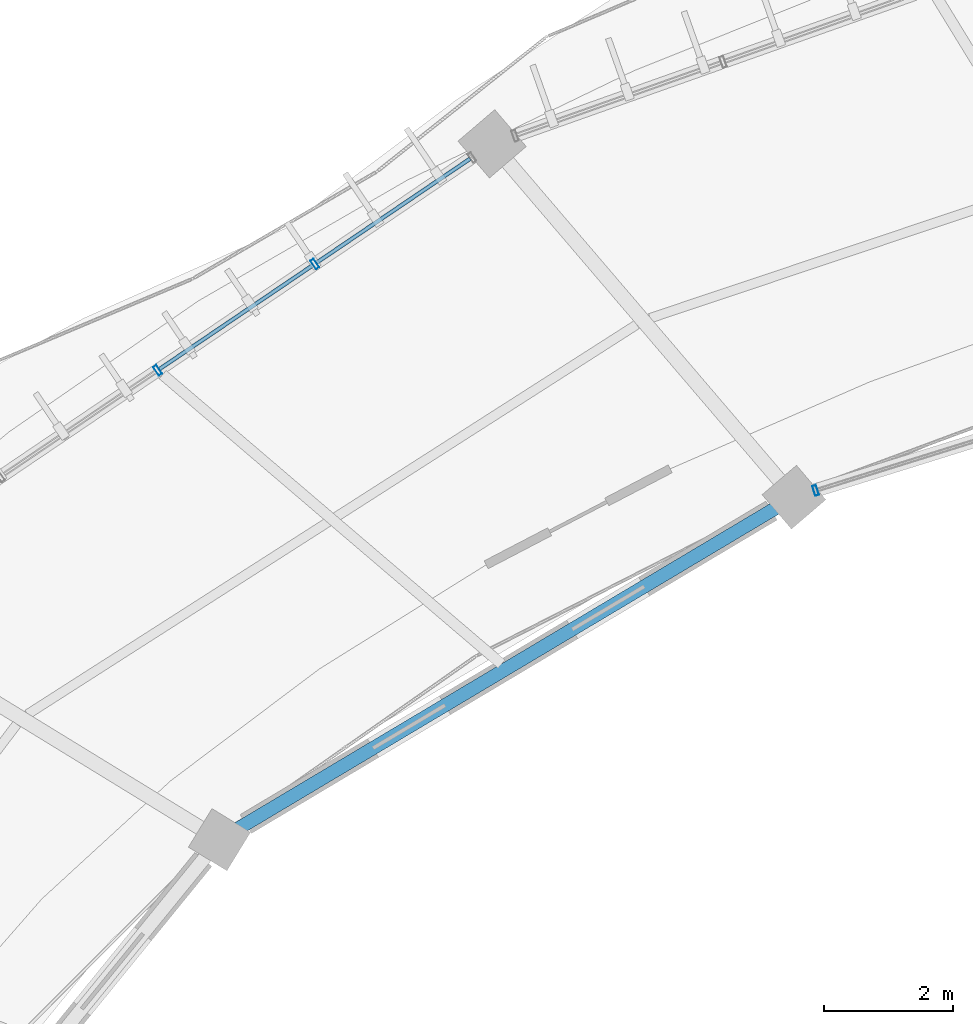
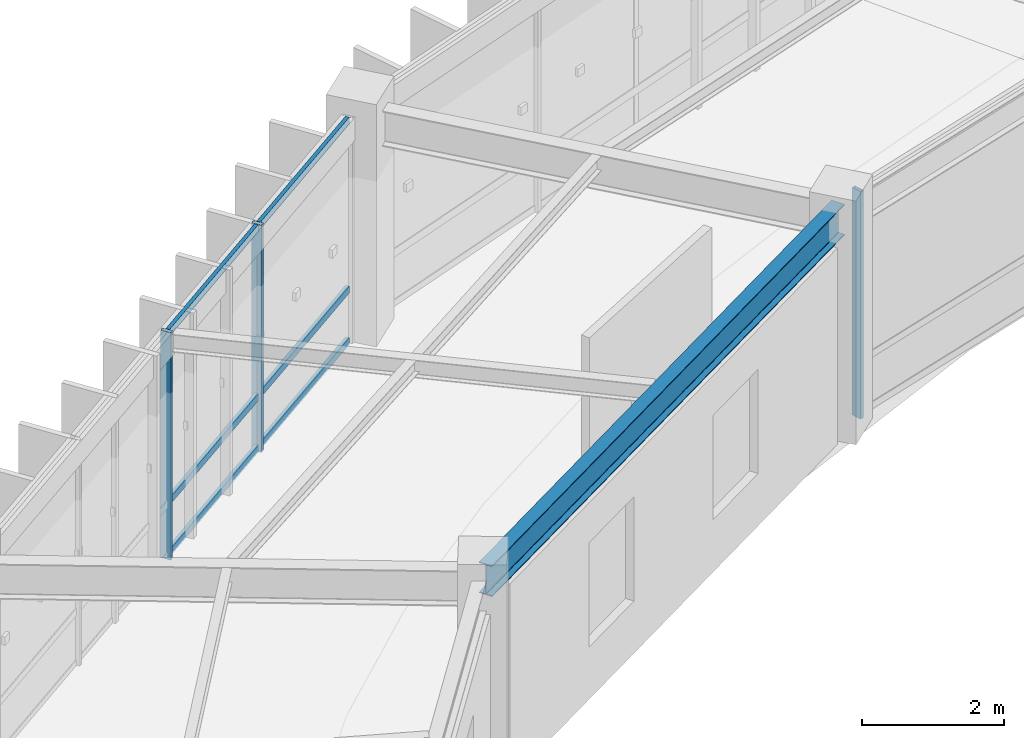
# One storey, part 58 of 152: 9 members, 1 beam, 2 elements without a shape of their own.
"""IFC4 building model written with IfcOpenShell, lengths in metres."""

import ifcopenshell
import ifcopenshell.guid

model = None  # the IFC model being written
_history = None  # IfcOwnerHistory: only IFC2X3 demands one
_inside = {}  # id of a spatial element -> (the spatial element, [elements in it])
_under = {}  # id of a project, library or spatial element -> (it, [spatial elements below it])
_declared = {}  # id of a project -> (the project, [libraries it declares])
_typed = {}  # id of a type object -> (the type object, [elements of that type])
_made_of = {}  # id of a material, layer set ... -> (it, [elements and type objects made of it])


def new_model(schema):
    """Start an empty IFC model of exactly this schema.

    Asked for "IFC4X3", IfcOpenShell would pick the latest addendum, in which some entities
    have other attributes; the version numbers below select the first issue.
    IFC2X3 requires an IfcOwnerHistory on every rooted entity: one is made here for all.
    """
    global model, _history
    if schema == "IFC4X3":
        model = ifcopenshell.file(schema_version=(4, 3, 0, 0))
    else:
        model = ifcopenshell.file(schema=schema)
    _inside.clear()
    _under.clear()
    _declared.clear()
    _typed.clear()
    _made_of.clear()
    _history = None
    if model.schema == "IFC2X3":
        org = make("IfcOrganization", Name="unknown")
        user = make(
            "IfcPersonAndOrganization",
            ThePerson=make("IfcPerson", FamilyName="unknown"),
            TheOrganization=org,
        )
        app = make(
            "IfcApplication",
            ApplicationDeveloper=org,
            Version="unknown",
            ApplicationFullName="unknown",
            ApplicationIdentifier="unknown",
        )
        _history = make(
            "IfcOwnerHistory",
            OwningUser=user,
            OwningApplication=app,
            ChangeAction="ADDED",
            CreationDate=0,
        )
    return model


def make(cls, **values):
    """One entity of the class cls with the attributes given. An attribute that is None is left unset."""
    return model.create_entity(
        cls, **{name: value for name, value in values.items() if value is not None}
    )


def rooted(cls, **values):
    """An entity with a GlobalId (a new one), such as an element, a storey or a relation."""
    return make(cls, GlobalId=ifcopenshell.guid.new(), OwnerHistory=_history, **values)


def si_unit(unit_type, name, prefix=None):
    """IfcSIUnit, for example si_unit("LENGTHUNIT", "METRE", prefix="MILLI")."""
    return make("IfcSIUnit", UnitType=unit_type, Prefix=prefix, Name=name)


def assignment(units):
    """IfcUnitAssignment: the units of a project."""
    return None if units is None else make("IfcUnitAssignment", Units=units)


def point(xyz):
    """IfcCartesianPoint."""
    return None if xyz is None else make("IfcCartesianPoint", Coordinates=xyz)


def direction(xyz):
    """IfcDirection."""
    return None if xyz is None else make("IfcDirection", DirectionRatios=xyz)


def frame(location, z_axis=None, x_axis=None):
    """IfcAxis2Placement3D, a coordinate frame: its origin and axes. An axis left out is left unset."""
    return make(
        "IfcAxis2Placement3D",
        Location=point(location),
        Axis=direction(z_axis),
        RefDirection=direction(x_axis),
    )


def frame_2d(location, x_axis=None):
    """IfcAxis2Placement2D, a coordinate frame in the plane: its origin and x axis."""
    return make(
        "IfcAxis2Placement2D", Location=point(location), RefDirection=direction(x_axis)
    )


def origin():
    """The frame at (0, 0, 0) with its axes left unset."""
    return frame((0.0, 0.0, 0.0))


def origin_2d():
    """The frame at (0, 0) in the plane with its x axis left unset."""
    return frame_2d((0.0, 0.0))


def place(relative_to, where):
    """IfcLocalPlacement: puts the frame where relative to a parent placement (None: the world)."""
    return make(
        "IfcLocalPlacement", PlacementRelTo=relative_to, RelativePlacement=where
    )


def context(
    kind, dimensions, precision=None, world=None, true_north=None, identifier=None
):
    """IfcGeometricRepresentationContext, for example the 3D "Model" context."""
    return make(
        "IfcGeometricRepresentationContext",
        ContextIdentifier=identifier,
        ContextType=kind,
        CoordinateSpaceDimension=dimensions,
        Precision=precision,
        WorldCoordinateSystem=world,
        TrueNorth=true_north,
    )


def subcontext(parent, identifier, kind, view, scale=None):
    """IfcGeometricRepresentationSubContext, for example "Body" below "Model"."""
    return make(
        "IfcGeometricRepresentationSubContext",
        ContextIdentifier=identifier,
        ContextType=kind,
        ParentContext=parent,
        TargetScale=scale,
        TargetView=view,
    )


def project(units=None, contexts=None):
    """IfcProject with its units and contexts."""
    return rooted(
        "IfcProject",
        Name="project",
        RepresentationContexts=contexts,
        UnitsInContext=assignment(units),
    )


def spatial(cls, under=None, at=None, **own):
    """A site, building, storey or space (cls), placed at a placement, below another one or the project."""
    s = rooted(cls, ObjectPlacement=at, **own)
    if under is not None:
        _under.setdefault(under.id(), (under, []))[1].append(s)
    return s


def profile(cls, at=None, kind="AREA", **sizes):
    """A parametric profile (cls). Its sizes go by their IFC names, for example OverallWidth=200.0."""
    return make(cls, ProfileType=kind, Position=at, **sizes)


def hollow_rectangle(**sizes):
    """IfcRectangleHollowProfileDef."""
    return profile("IfcRectangleHollowProfileDef", **sizes)


def i_section(**sizes):
    """IfcIShapeProfileDef."""
    return profile("IfcIShapeProfileDef", **sizes)


def extrude(swept, where, along, depth):
    """IfcExtrudedAreaSolid: the profile swept, set in the frame where, extruded along a direction by depth."""
    return make(
        "IfcExtrudedAreaSolid",
        SweptArea=swept,
        Position=where,
        ExtrudedDirection=direction(along),
        Depth=depth,
    )


def shape(context_of_items, identifier, shape_type, items):
    """IfcShapeRepresentation: the items that make up one representation, for example the "Body"."""
    return make(
        "IfcShapeRepresentation",
        ContextOfItems=context_of_items,
        RepresentationIdentifier=identifier,
        RepresentationType=shape_type,
        Items=items,
    )


def material(Name=None, Category=None):
    """IfcMaterial."""
    return make("IfcMaterial", Name=Name, Category=Category)


def material_profile(
    of_material, cross_section, Name=None, Category=None, Priority=None
):
    """IfcMaterialProfile: a cross section and its material."""
    return make(
        "IfcMaterialProfile",
        Name=Name,
        Material=of_material,
        Profile=cross_section,
        Priority=Priority,
        Category=Category,
    )


def profile_set(profiles, Name=None, composite=None):
    """IfcMaterialProfileSet."""
    return make(
        "IfcMaterialProfileSet",
        Name=Name,
        MaterialProfiles=profiles,
        CompositeProfile=composite,
    )


def made_of(thing, what):
    """Note that an element or type object is made of a material, layer set ...; save() writes the relation."""
    if what is not None:
        _made_of.setdefault(what.id(), (what, []))[1].append(thing)
    return thing


def type_object(cls, material=None, **own):
    """A type object (cls), such as IfcWallType, which elements share."""
    return made_of(rooted(cls, **own), material)


def element(
    cls,
    number,
    at=None,
    inside=None,
    cuts=None,
    type_object=None,
    material=None,
    context=None,
    identifier="Body",
    shape_type=None,
    held_by="IfcProductDefinitionShape",
    body=None,
    shapes=None,
    **own,
):
    """One element of the class cls, such as IfcWall. Its Tag is "e" and its number.

    at: its placement. inside: the storey or other place that contains it. cuts: it is an
    opening in that element (IfcRelVoidsElement). A single representation is given by context,
    identifier, shape_type and body (its items); several are given by shapes. held_by: the class
    of the entity that holds the representations. save() writes the other relations.
    """
    e = rooted(cls, Tag="e%d" % number, ObjectPlacement=at, **own)
    if body is not None:
        shapes = [shape(context, identifier, shape_type, body)]
    if shapes is not None:
        e.Representation = make(held_by, Representations=shapes)
    if inside is not None:
        _inside.setdefault(inside.id(), (inside, []))[1].append(e)
    if cuts is not None:
        rooted(
            "IfcRelVoidsElement", RelatingBuildingElement=cuts, RelatedOpeningElement=e
        )
    if type_object is not None:
        _typed.setdefault(type_object.id(), (type_object, []))[1].append(e)
    return made_of(e, material)


def aggregate(whole, parts):
    """IfcRelAggregates: a whole, such as a stair, and the parts it consists of."""
    return rooted("IfcRelAggregates", RelatingObject=whole, RelatedObjects=parts)


def save(model, path):
    """Write the relations noted so far, then the file.

    IfcRelAggregates (storeys below a building ...), IfcRelContainedInSpatialStructure (elements
    in a storey), IfcRelDefinesByType, IfcRelAssociatesMaterial and IfcRelDeclares: one each for
    every whole, place, type object, material and project.
    """
    for whole, parts in _under.values():
        aggregate(whole, parts)
    for where, things in _inside.values():
        rooted(
            "IfcRelContainedInSpatialStructure",
            RelatedElements=things,
            RelatingStructure=where,
        )
    for kind, things in _typed.values():
        rooted("IfcRelDefinesByType", RelatedObjects=things, RelatingType=kind)
    for what, things in _made_of.values():
        rooted("IfcRelAssociatesMaterial", RelatedObjects=things, RelatingMaterial=what)
    for by, libraries in _declared.values():
        rooted("IfcRelDeclares", RelatingContext=by, RelatedDefinitions=libraries)
    model.write(path)


model = new_model("IFC4")

# Units and contexts
model_context = context("Model", 3, precision=1e-05, world=origin(), true_north=direction((0.0, 1.0)))
body_context = subcontext(model_context, "Body", "Model", "MODEL_VIEW")
ifc_project = project(units=[si_unit("LENGTHUNIT", "METRE"), si_unit("AREAUNIT", "SQUARE_METRE"), si_unit("VOLUMEUNIT", "CUBIC_METRE"), si_unit("PLANEANGLEUNIT", "RADIAN"), si_unit("MASSUNIT", "GRAM", prefix="KILO"), si_unit("THERMODYNAMICTEMPERATUREUNIT", "KELVIN"), si_unit("POWERUNIT", "WATT")], contexts=[model_context])

# Site, building, storey
site_placement = place(None, origin())
site = spatial("IfcSite", under=ifc_project, at=site_placement, CompositionType="ELEMENT")
building_placement = place(site_placement, origin())
building = spatial("IfcBuilding", under=site, at=building_placement, Name="Darbajah Civic Hall", CompositionType="ELEMENT")
storey_placement = place(building_placement, frame((0.0, 0.0, 5.39990234375)))
storey = spatial("IfcBuildingStorey", under=building, at=storey_placement, Name="L01", CompositionType="ELEMENT", Elevation=5.39990234375)

# Curtain wall, member
ifc_material_1 = material(Name="Anodised Bronze Aluminium and Low-E Glazing", Category="aluminium")
curtain_wall_type_1 = type_object("IfcCurtainWallType", Name="Unitised Curtain Wall CW-25 11500x3900", PredefinedType="USERDEFINED", material=ifc_material_1)
curtain_wall_1_placement = place(storey_placement, origin())
curtain_wall_1 = element("IfcCurtainWall", 1, at=curtain_wall_1_placement, inside=storey, type_object=curtain_wall_type_1, Name="L01 unitised curtain wall CW-V1I-L01-06", ObjectType="UNITISED CURTAIN WALL", PredefinedType="USERDEFINED")
ifc_material_2 = material(Name="Anodised Bronze Aluminium", Category="aluminium")
ifc_material_profile_1 = material_profile(ifc_material_2, hollow_rectangle(XDim=0.06005859375, YDim=0.159912109375, WallThickness=0.00341796875, at=origin_2d()), Name="ALU MULLION 60x160")
ifc_profile_set_1 = profile_set([ifc_material_profile_1], Name="Anodised Bronze Aluminium")
member_type_1 = type_object("IfcMemberType", Name="ALU MULLION 60x160", PredefinedType="MULLION", material=ifc_profile_set_1)
member_1_placement = place(storey_placement, frame((60.990234375, 106.86181640625, 0.0), z_axis=(0.0, 0.0, 1.0), x_axis=(-0.954604963513, -0.297874744877, 0.0)))
member_1 = element("IfcMember", 2, at=member_1_placement, type_object=member_type_1, Name="CW-V1I-L01-06 mullion 4", PredefinedType="MULLION", context=body_context, shape_type="SweptSolid", body=[
    extrude(hollow_rectangle(XDim=0.06005859375, YDim=0.159912109375, WallThickness=0.00341796875, at=origin_2d()), origin(), (0.0, 0.0, 1.0), 3.920166015625),
])
aggregate(curtain_wall_1, [member_1])

# Curtain wall, members
curtain_wall_type_2 = type_object("IfcCurtainWallType", Name="Unitised Curtain Wall CW-26 11800x3900", PredefinedType="USERDEFINED", material=ifc_material_1)
curtain_wall_2_placement = place(storey_placement, origin())
curtain_wall_2 = element("IfcCurtainWall", 3, at=curtain_wall_2_placement, inside=storey, type_object=curtain_wall_type_2, Name="L01 unitised curtain wall CW-V1O-L01-07", ObjectType="UNITISED CURTAIN WALL", PredefinedType="USERDEFINED")
member_2_placement = place(storey_placement, frame((53.2314453125, 110.37158203125, 0.0), z_axis=(0.0, 0.0, 1.0), x_axis=(-0.827962472047, -0.560783509816, 0.0)))
member_2 = element("IfcMember", 4, at=member_2_placement, type_object=member_type_1, Name="CW-V1O-L01-07 mullion 2", PredefinedType="MULLION", context=body_context, shape_type="SweptSolid", body=[
    extrude(hollow_rectangle(XDim=0.06005859375, YDim=0.159912109375, WallThickness=0.00341796875, at=origin_2d()), origin(), (0.0, 0.0, 1.0), 3.920166015625),
])
member_3_placement = place(storey_placement, frame((50.796875, 108.722900390625, 0.0), z_axis=(0.0, 0.0, 1.0), x_axis=(-0.827962472047, -0.560783509816, 0.0)))
member_3 = element("IfcMember", 5, at=member_3_placement, type_object=member_type_1, Name="CW-V1O-L01-07 mullion 3", PredefinedType="MULLION", context=body_context, shape_type="SweptSolid", body=[
    extrude(hollow_rectangle(XDim=0.06005859375, YDim=0.159912109375, WallThickness=0.00341796875, at=origin_2d()), origin(), (0.0, 0.0, 1.0), 3.920166015625),
])
ifc_material_profile_2 = material_profile(ifc_material_2, hollow_rectangle(XDim=0.06005859375, YDim=0.1201171875, WallThickness=0.003173828125, at=origin_2d()), Name="ALU TRANSOM 60x120")
ifc_profile_set_2 = profile_set([ifc_material_profile_2], Name="Anodised Bronze Aluminium")
member_type_2 = type_object("IfcMemberType", Name="ALU TRANSOM 60x120", PredefinedType="USERDEFINED", material=ifc_profile_set_2)
member_4_placement = place(storey_placement, frame((55.636962890625, 112.0009765625, 0.06005859375), z_axis=(-0.827958184156, -0.560789840573, 0.0), x_axis=(0.560789840573, -0.827958184156, 0.0)))
member_4 = element("IfcMember", 6, at=member_4_placement, type_object=member_type_2, Name="CW-V1O-L01-07 transom 1.1", ObjectType="TRANSOM", PredefinedType="USERDEFINED", context=body_context, shape_type="SweptSolid", body=[
    extrude(hollow_rectangle(XDim=0.06005859375, YDim=0.1201171875, WallThickness=0.003173828125, at=origin_2d()), origin(), (0.0, 0.0, 1.0), 2.870361328125),
])
member_5_placement = place(storey_placement, frame((55.636962890625, 112.0009765625, 0.9501953125), z_axis=(-0.827958184156, -0.560789840573, 0.0), x_axis=(0.560789840573, -0.827958184156, 0.0)))
member_5 = element("IfcMember", 7, at=member_5_placement, type_object=member_type_2, Name="CW-V1O-L01-07 transom 1.2", ObjectType="TRANSOM", PredefinedType="USERDEFINED", context=body_context, shape_type="SweptSolid", body=[
    extrude(hollow_rectangle(XDim=0.06005859375, YDim=0.1201171875, WallThickness=0.003173828125, at=origin_2d()), origin(), (0.0, 0.0, 1.0), 2.870361328125),
])
member_6_placement = place(storey_placement, frame((55.636962890625, 112.0009765625, 3.860107421875), z_axis=(-0.827958184156, -0.560789840573, 0.0), x_axis=(0.560789840573, -0.827958184156, 0.0)))
member_6 = element("IfcMember", 8, at=member_6_placement, type_object=member_type_2, Name="CW-V1O-L01-07 transom 1.3", ObjectType="TRANSOM", PredefinedType="USERDEFINED", context=body_context, shape_type="SweptSolid", body=[
    extrude(hollow_rectangle(XDim=0.06005859375, YDim=0.1201171875, WallThickness=0.003173828125, at=origin_2d()), origin(), (0.0, 0.0, 1.0), 2.870361328125),
])
member_7_placement = place(storey_placement, frame((53.202392578125, 110.35205078125, 0.06005859375), z_axis=(-0.827984930933, -0.560750349218, 0.0), x_axis=(0.560750349218, -0.827984930933, 0.0)))
member_7 = element("IfcMember", 9, at=member_7_placement, type_object=member_type_2, Name="CW-V1O-L01-07 transom 2.1", ObjectType="TRANSOM", PredefinedType="USERDEFINED", context=body_context, shape_type="SweptSolid", body=[
    extrude(hollow_rectangle(XDim=0.06005859375, YDim=0.1201171875, WallThickness=0.003173828125, at=origin_2d()), origin(), (0.0, 0.0, 1.0), 2.870361328125),
])
member_8_placement = place(storey_placement, frame((53.202392578125, 110.35205078125, 0.9501953125), z_axis=(-0.827984930933, -0.560750349218, 0.0), x_axis=(0.560750349218, -0.827984930933, 0.0)))
member_8 = element("IfcMember", 10, at=member_8_placement, type_object=member_type_2, Name="CW-V1O-L01-07 transom 2.2", ObjectType="TRANSOM", PredefinedType="USERDEFINED", context=body_context, shape_type="SweptSolid", body=[
    extrude(hollow_rectangle(XDim=0.06005859375, YDim=0.1201171875, WallThickness=0.003173828125, at=origin_2d()), origin(), (0.0, 0.0, 1.0), 2.870361328125),
])
member_9_placement = place(storey_placement, frame((53.202392578125, 110.35205078125, 3.860107421875), z_axis=(-0.827984930933, -0.560750349218, 0.0), x_axis=(0.560750349218, -0.827984930933, 0.0)))
member_9 = element("IfcMember", 11, at=member_9_placement, type_object=member_type_2, Name="CW-V1O-L01-07 transom 2.3", ObjectType="TRANSOM", PredefinedType="USERDEFINED", context=body_context, shape_type="SweptSolid", body=[
    extrude(hollow_rectangle(XDim=0.06005859375, YDim=0.1201171875, WallThickness=0.003173828125, at=origin_2d()), origin(), (0.0, 0.0, 1.0), 2.870361328125),
])
aggregate(curtain_wall_2, [member_2, member_3, member_4, member_5, member_6, member_7, member_8, member_9])

# Beam
ifc_material_3 = material(Name="Steel S355JR", Category="steel")
ifc_material_profile_3 = material_profile(ifc_material_3, i_section(OverallWidth=0.209228515625, OverallDepth=0.533203125, WebThickness=0.010009765625, FlangeThickness=0.015625, FilletRadius=0.0126953125, at=origin_2d()), Name="UB 533x210x92")
ifc_profile_set_3 = profile_set([ifc_material_profile_3], Name="Steel S355JR")
beam_type = type_object("IfcBeamType", Name="UB 533x210x92", PredefinedType="BEAM", material=ifc_profile_set_3)
beam_placement = place(storey_placement, frame((60.58544921875, 106.716064453125, 3.653564453125), z_axis=(-0.858963370671, -0.512037037572, 0.0), x_axis=(0.512037037572, -0.858963370671, 0.0)))
element("IfcBeam", 12, at=beam_placement, inside=storey, type_object=beam_type, Name="L01 beam SB-533", PredefinedType="BEAM", context=body_context, shape_type="SweptSolid", body=[
    extrude(i_section(OverallWidth=0.209228515625, OverallDepth=0.533203125, WebThickness=0.010009765625, FlangeThickness=0.015625, FilletRadius=0.0126953125, at=origin_2d()), origin(), (0.0, 0.0, 1.0), 10.201171875),
])

save(model, "model.ifc")
